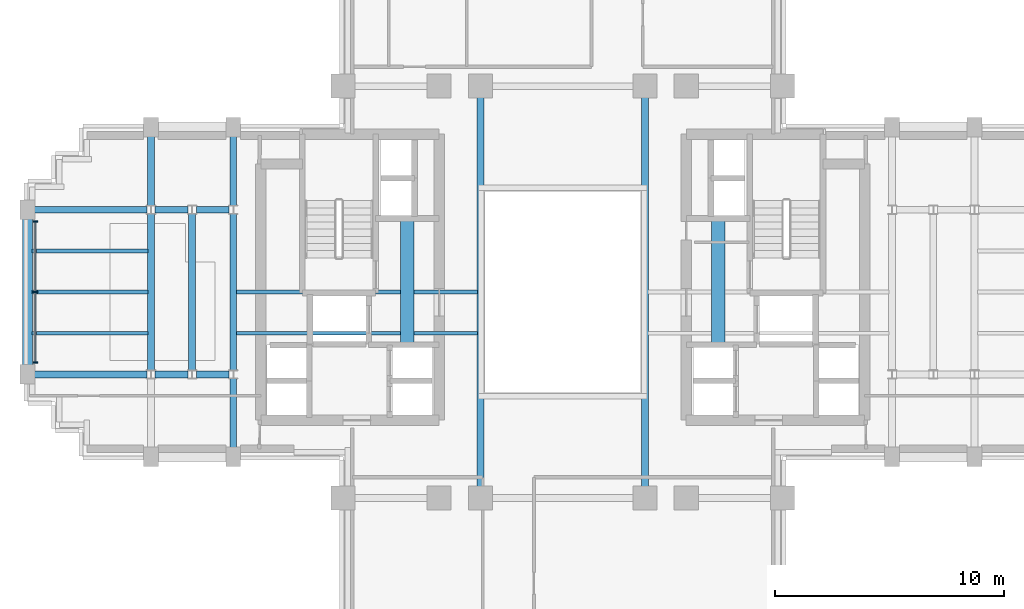
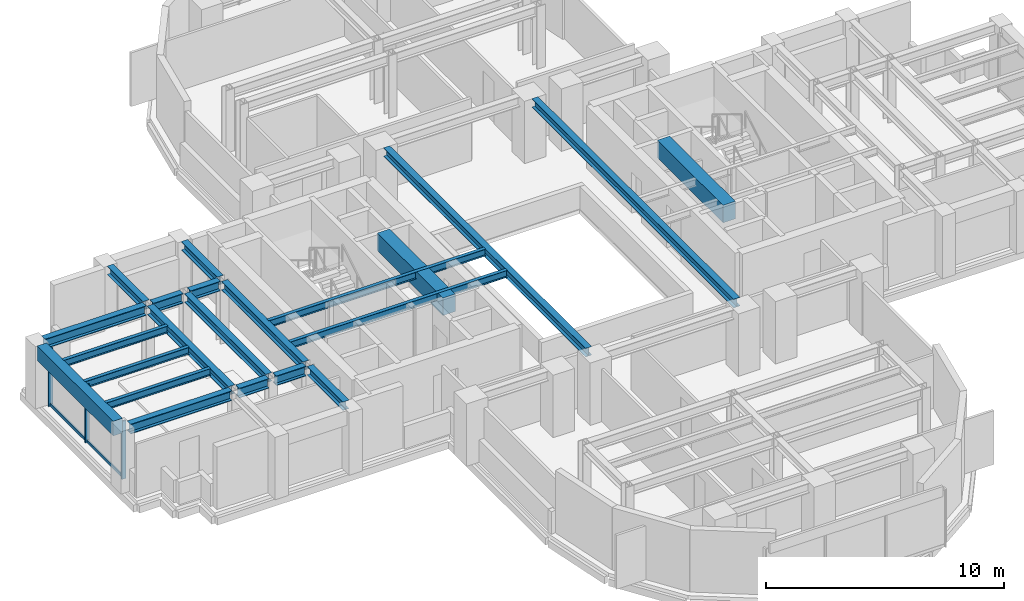
# One storey, part 4 of 13: 22 beams, 5 members, 1 element without a shape of its own.
"""IFC4 building model written with IfcOpenShell, lengths in metres."""

import ifcopenshell
import ifcopenshell.guid

model = None  # the IFC model being written
_history = None  # IfcOwnerHistory: only IFC2X3 demands one
_inside = {}  # id of a spatial element -> (the spatial element, [elements in it])
_under = {}  # id of a project, library or spatial element -> (it, [spatial elements below it])
_declared = {}  # id of a project -> (the project, [libraries it declares])
_typed = {}  # id of a type object -> (the type object, [elements of that type])
_made_of = {}  # id of a material, layer set ... -> (it, [elements and type objects made of it])


def new_model(schema):
    """Start an empty IFC model of exactly this schema.

    Asked for "IFC4X3", IfcOpenShell would pick the latest addendum, in which some entities
    have other attributes; the version numbers below select the first issue.
    IFC2X3 requires an IfcOwnerHistory on every rooted entity: one is made here for all.
    """
    global model, _history
    if schema == "IFC4X3":
        model = ifcopenshell.file(schema_version=(4, 3, 0, 0))
    else:
        model = ifcopenshell.file(schema=schema)
    _inside.clear()
    _under.clear()
    _declared.clear()
    _typed.clear()
    _made_of.clear()
    _history = None
    if model.schema == "IFC2X3":
        org = make("IfcOrganization", Name="unknown")
        user = make(
            "IfcPersonAndOrganization",
            ThePerson=make("IfcPerson", FamilyName="unknown"),
            TheOrganization=org,
        )
        app = make(
            "IfcApplication",
            ApplicationDeveloper=org,
            Version="unknown",
            ApplicationFullName="unknown",
            ApplicationIdentifier="unknown",
        )
        _history = make(
            "IfcOwnerHistory",
            OwningUser=user,
            OwningApplication=app,
            ChangeAction="ADDED",
            CreationDate=0,
        )
    return model


def make(cls, **values):
    """One entity of the class cls with the attributes given. An attribute that is None is left unset."""
    return model.create_entity(
        cls, **{name: value for name, value in values.items() if value is not None}
    )


def rooted(cls, **values):
    """An entity with a GlobalId (a new one), such as an element, a storey or a relation."""
    return make(cls, GlobalId=ifcopenshell.guid.new(), OwnerHistory=_history, **values)


def si_unit(unit_type, name, prefix=None):
    """IfcSIUnit, for example si_unit("LENGTHUNIT", "METRE", prefix="MILLI")."""
    return make("IfcSIUnit", UnitType=unit_type, Prefix=prefix, Name=name)


def assignment(units):
    """IfcUnitAssignment: the units of a project."""
    return None if units is None else make("IfcUnitAssignment", Units=units)


def point(xyz):
    """IfcCartesianPoint."""
    return None if xyz is None else make("IfcCartesianPoint", Coordinates=xyz)


def direction(xyz):
    """IfcDirection."""
    return None if xyz is None else make("IfcDirection", DirectionRatios=xyz)


def frame(location, z_axis=None, x_axis=None):
    """IfcAxis2Placement3D, a coordinate frame: its origin and axes. An axis left out is left unset."""
    return make(
        "IfcAxis2Placement3D",
        Location=point(location),
        Axis=direction(z_axis),
        RefDirection=direction(x_axis),
    )


def frame_2d(location, x_axis=None):
    """IfcAxis2Placement2D, a coordinate frame in the plane: its origin and x axis."""
    return make(
        "IfcAxis2Placement2D", Location=point(location), RefDirection=direction(x_axis)
    )


def origin():
    """The frame at (0, 0, 0) with its axes left unset."""
    return frame((0.0, 0.0, 0.0))


def origin_2d():
    """The frame at (0, 0) in the plane with its x axis left unset."""
    return frame_2d((0.0, 0.0))


def place(relative_to, where):
    """IfcLocalPlacement: puts the frame where relative to a parent placement (None: the world)."""
    return make(
        "IfcLocalPlacement", PlacementRelTo=relative_to, RelativePlacement=where
    )


def context(
    kind, dimensions, precision=None, world=None, true_north=None, identifier=None
):
    """IfcGeometricRepresentationContext, for example the 3D "Model" context."""
    return make(
        "IfcGeometricRepresentationContext",
        ContextIdentifier=identifier,
        ContextType=kind,
        CoordinateSpaceDimension=dimensions,
        Precision=precision,
        WorldCoordinateSystem=world,
        TrueNorth=true_north,
    )


def subcontext(parent, identifier, kind, view, scale=None):
    """IfcGeometricRepresentationSubContext, for example "Body" below "Model"."""
    return make(
        "IfcGeometricRepresentationSubContext",
        ContextIdentifier=identifier,
        ContextType=kind,
        ParentContext=parent,
        TargetScale=scale,
        TargetView=view,
    )


def project(units=None, contexts=None):
    """IfcProject with its units and contexts."""
    return rooted(
        "IfcProject",
        Name="project",
        RepresentationContexts=contexts,
        UnitsInContext=assignment(units),
    )


def spatial(cls, under=None, at=None, **own):
    """A site, building, storey or space (cls), placed at a placement, below another one or the project."""
    s = rooted(cls, ObjectPlacement=at, **own)
    if under is not None:
        _under.setdefault(under.id(), (under, []))[1].append(s)
    return s


def profile(cls, at=None, kind="AREA", **sizes):
    """A parametric profile (cls). Its sizes go by their IFC names, for example OverallWidth=200.0."""
    return make(cls, ProfileType=kind, Position=at, **sizes)


def rectangle(**sizes):
    """IfcRectangleProfileDef."""
    return profile("IfcRectangleProfileDef", **sizes)


def i_section(**sizes):
    """IfcIShapeProfileDef."""
    return profile("IfcIShapeProfileDef", **sizes)


def extrude(swept, where, along, depth):
    """IfcExtrudedAreaSolid: the profile swept, set in the frame where, extruded along a direction by depth."""
    return make(
        "IfcExtrudedAreaSolid",
        SweptArea=swept,
        Position=where,
        ExtrudedDirection=direction(along),
        Depth=depth,
    )


def shape(context_of_items, identifier, shape_type, items):
    """IfcShapeRepresentation: the items that make up one representation, for example the "Body"."""
    return make(
        "IfcShapeRepresentation",
        ContextOfItems=context_of_items,
        RepresentationIdentifier=identifier,
        RepresentationType=shape_type,
        Items=items,
    )


def source(mapping_origin, context_of_items, identifier, shape_type, items):
    """IfcRepresentationMap: a shape defined once, which mapped items show again and again."""
    return make(
        "IfcRepresentationMap",
        MappingOrigin=mapping_origin,
        MappedRepresentation=shape(context_of_items, identifier, shape_type, items),
    )


def transform(
    local_origin,
    x_axis=None,
    y_axis=None,
    z_axis=None,
    scale=None,
    scale2=None,
    scale3=None,
    uniform=True,
):
    """IfcCartesianTransformationOperator3D, or its non-uniform kind. x_axis, y_axis, z_axis: its Axis1, 2, 3."""
    if uniform:
        return make(
            "IfcCartesianTransformationOperator3D",
            Axis1=direction(x_axis),
            Axis2=direction(y_axis),
            LocalOrigin=point(local_origin),
            Scale=scale,
            Axis3=direction(z_axis),
        )
    return make(
        "IfcCartesianTransformationOperator3DnonUniform",
        Axis1=direction(x_axis),
        Axis2=direction(y_axis),
        LocalOrigin=point(local_origin),
        Scale=scale,
        Axis3=direction(z_axis),
        Scale2=scale2,
        Scale3=scale3,
    )


def mapped(mapping_source, mapping_target):
    """IfcMappedItem: shows the shape of a source again, moved by a transform."""
    return make(
        "IfcMappedItem", MappingSource=mapping_source, MappingTarget=mapping_target
    )


def material(Name=None, Category=None):
    """IfcMaterial."""
    return make("IfcMaterial", Name=Name, Category=Category)


def material_profile(
    of_material, cross_section, Name=None, Category=None, Priority=None
):
    """IfcMaterialProfile: a cross section and its material."""
    return make(
        "IfcMaterialProfile",
        Name=Name,
        Material=of_material,
        Profile=cross_section,
        Priority=Priority,
        Category=Category,
    )


def profile_set(profiles, Name=None, composite=None):
    """IfcMaterialProfileSet."""
    return make(
        "IfcMaterialProfileSet",
        Name=Name,
        MaterialProfiles=profiles,
        CompositeProfile=composite,
    )


def made_of(thing, what):
    """Note that an element or type object is made of a material, layer set ...; save() writes the relation."""
    if what is not None:
        _made_of.setdefault(what.id(), (what, []))[1].append(thing)
    return thing


def type_object(cls, material=None, **own):
    """A type object (cls), such as IfcWallType, which elements share."""
    return made_of(rooted(cls, **own), material)


def element(
    cls,
    number,
    at=None,
    inside=None,
    cuts=None,
    type_object=None,
    material=None,
    context=None,
    identifier="Body",
    shape_type=None,
    held_by="IfcProductDefinitionShape",
    body=None,
    shapes=None,
    **own,
):
    """One element of the class cls, such as IfcWall. Its Tag is "e" and its number.

    at: its placement. inside: the storey or other place that contains it. cuts: it is an
    opening in that element (IfcRelVoidsElement). A single representation is given by context,
    identifier, shape_type and body (its items); several are given by shapes. held_by: the class
    of the entity that holds the representations. save() writes the other relations.
    """
    e = rooted(cls, Tag="e%d" % number, ObjectPlacement=at, **own)
    if body is not None:
        shapes = [shape(context, identifier, shape_type, body)]
    if shapes is not None:
        e.Representation = make(held_by, Representations=shapes)
    if inside is not None:
        _inside.setdefault(inside.id(), (inside, []))[1].append(e)
    if cuts is not None:
        rooted(
            "IfcRelVoidsElement", RelatingBuildingElement=cuts, RelatedOpeningElement=e
        )
    if type_object is not None:
        _typed.setdefault(type_object.id(), (type_object, []))[1].append(e)
    return made_of(e, material)


def aggregate(whole, parts):
    """IfcRelAggregates: a whole, such as a stair, and the parts it consists of."""
    return rooted("IfcRelAggregates", RelatingObject=whole, RelatedObjects=parts)


def save(model, path):
    """Write the relations noted so far, then the file.

    IfcRelAggregates (storeys below a building ...), IfcRelContainedInSpatialStructure (elements
    in a storey), IfcRelDefinesByType, IfcRelAssociatesMaterial and IfcRelDeclares: one each for
    every whole, place, type object, material and project.
    """
    for whole, parts in _under.values():
        aggregate(whole, parts)
    for where, things in _inside.values():
        rooted(
            "IfcRelContainedInSpatialStructure",
            RelatedElements=things,
            RelatingStructure=where,
        )
    for kind, things in _typed.values():
        rooted("IfcRelDefinesByType", RelatedObjects=things, RelatingType=kind)
    for what, things in _made_of.values():
        rooted("IfcRelAssociatesMaterial", RelatedObjects=things, RelatingMaterial=what)
    for by, libraries in _declared.values():
        rooted("IfcRelDeclares", RelatingContext=by, RelatedDefinitions=libraries)
    model.write(path)


model = new_model("IFC4")

# Units and contexts
model_context = context("Model", 3, precision=1e-05, world=origin(), true_north=direction((0.0, 1.0)))
body_context = subcontext(model_context, "Body", "Model", "MODEL_VIEW")
ifc_project = project(units=[si_unit("LENGTHUNIT", "METRE"), si_unit("AREAUNIT", "SQUARE_METRE"), si_unit("VOLUMEUNIT", "CUBIC_METRE"), si_unit("PLANEANGLEUNIT", "RADIAN"), si_unit("MASSUNIT", "GRAM", prefix="KILO")], contexts=[model_context])

# Site, building, storey
site_placement = place(None, origin())
site = spatial("IfcSite", under=ifc_project, at=site_placement, CompositionType="ELEMENT")
building_placement = place(site_placement, origin())
building = spatial("IfcBuilding", under=site, at=building_placement, Name="Keilestroom Media Tower", CompositionType="ELEMENT")
storey_placement = place(building_placement, frame((0.0, 0.0, 97.199951171875)))
storey = spatial("IfcBuildingStorey", under=building, at=storey_placement, Name="L25", CompositionType="ELEMENT", Elevation=97.199951171875)

# Beams
ifc_material_1 = material(Name="Concrete C70/85", Category="concrete")
ifc_material_profile_1 = material_profile(ifc_material_1, rectangle(XDim=0.60009765625, YDim=0.89990234375, at=origin_2d()), Name="RC 600x900")
ifc_profile_set_1 = profile_set([ifc_material_profile_1], Name="Concrete C70/85")
beam_type_1 = type_object("IfcBeamType", Name="Core-Coupling-Lintel-Beam-RC-600x900", PredefinedType="LINTEL", material=ifc_profile_set_1)
shared_shape_1 = source(origin(), body_context, "Body", "SweptSolid", [
    extrude(rectangle(XDim=0.60009765625, YDim=0.89990234375, at=origin_2d()), origin(), (0.0, 0.0, 1.0), 5.52001953125),
])
for number, where, z_axis, x_axis, name in (
    (1, (-6.800048828125, -2.300048828125, 2.75), (0.0, 1.0, 0.0), (-1.0, 0.0, 0.0), "L25 Beam CLB-1 CLB-L25-W"),
    (2, (6.800048828125, -2.300048828125, 2.75), (0.0, 1.0, 0.0), (-1.0, 0.0, 0.0), "L25 Beam CLB-1 CLB-L25-E"),
):
    element("IfcBeam", number, at=place(storey_placement, frame(where, z_axis=z_axis, x_axis=x_axis)), inside=storey, type_object=beam_type_1, Name=name, PredefinedType="LINTEL", context=body_context, shape_type="MappedRepresentation", body=[
        mapped(shared_shape_1, transform((0.0, 0.0, 0.0), x_axis=(1.0, 0.0, 0.0), y_axis=(0.0, 1.0, 0.0), z_axis=(0.0, 0.0, 1.0), scale=1.0)),
    ])
ifc_material_2 = material(Name="Steel S355", Category="steel")
ifc_material_profile_2 = material_profile(ifc_material_2, i_section(OverallWidth=0.169921875, OverallDepth=0.360107421875, WebThickness=0.008056640625, FlangeThickness=0.0126953125, at=origin_2d()), Name="IPE 360")
ifc_profile_set_2 = profile_set([ifc_material_profile_2], Name="Steel S355")
beam_type_2 = type_object("IfcBeamType", Name="Secondary-Floor-Joist-IPE-360", PredefinedType="JOIST", material=ifc_profile_set_2)
shared_shape_2 = source(origin(), body_context, "Body", "SweptSolid", [
    extrude(i_section(OverallWidth=0.169921875, OverallDepth=0.360107421875, WebThickness=0.008056640625, FlangeThickness=0.0126953125, at=origin_2d()), origin(), (0.0, 0.0, 1.0), 10.5400390625),
])
for number, where, z_axis, x_axis, name in (
    (3, (-14.27001953125, -1.800048828125, 3.02001953125), (1.0, 0.0, 0.0), (0.0, 1.0, 0.0), "L25 Beam BJ-5 JST-L25-072"),
    (4, (-14.27001953125, 0.0, 3.02001953125), (1.0, 0.0, 0.0), (0.0, 1.0, 0.0), "L25 Beam BJ-5 JST-L25-077"),
):
    element("IfcBeam", number, at=place(storey_placement, frame(where, z_axis=z_axis, x_axis=x_axis)), inside=storey, type_object=beam_type_2, Name=name, PredefinedType="JOIST", context=body_context, shape_type="MappedRepresentation", body=[
        mapped(shared_shape_2, transform((0.0, 0.0, 0.0), x_axis=(1.0, 0.0, 0.0), y_axis=(0.0, 1.0, 0.0), z_axis=(0.0, 0.0, 1.0), scale=1.0)),
    ])
ifc_material_profile_3 = material_profile(ifc_material_2, i_section(OverallWidth=0.300048828125, OverallDepth=0.5, WebThickness=0.012451171875, FlangeThickness=0.028076171875, at=origin_2d()), Name="HEB 500")
ifc_profile_set_3 = profile_set([ifc_material_profile_3], Name="Steel S355")
beam_type_3 = type_object("IfcBeamType", Name="Primary-Structural-Girder-HEB-500", PredefinedType="BEAM", material=ifc_profile_set_3)
shared_shape_3 = source(origin(), body_context, "Body", "SweptSolid", [
    extrude(i_section(OverallWidth=0.300048828125, OverallDepth=0.5, WebThickness=0.012451171875, FlangeThickness=0.028076171875, at=origin_2d()), origin(), (0.0, 0.0, 1.0), 4.91455078125),
])
for number, where, z_axis, x_axis, name in (
    (5, (-23.094970703125, -3.60009765625, 2.949951171875), (1.0, 0.0, 0.0), (0.0, 1.0, 0.0), "L25 Beam BG-6 BM-L25-EW-014"),
    (6, (-23.094970703125, 3.60009765625, 2.949951171875), (1.0, 0.0, 0.0), (0.0, 1.0, 0.0), "L25 Beam BG-6 BM-L25-EW-020"),
):
    element("IfcBeam", number, at=place(storey_placement, frame(where, z_axis=z_axis, x_axis=x_axis)), inside=storey, type_object=beam_type_3, Name=name, PredefinedType="BEAM", context=body_context, shape_type="MappedRepresentation", body=[
        mapped(shared_shape_3, transform((0.0, 0.0, 0.0), x_axis=(1.0, 0.0, 0.0), y_axis=(0.0, 1.0, 0.0), z_axis=(0.0, 0.0, 1.0), scale=1.0)),
    ])
shared_shape_4 = source(origin(), body_context, "Body", "SweptSolid", [
    extrude(i_section(OverallWidth=0.300048828125, OverallDepth=0.5, WebThickness=0.012451171875, FlangeThickness=0.028076171875, at=origin_2d()), origin(), (0.0, 0.0, 1.0), 1.43896484375),
])
for number, where, z_axis, x_axis, name in (
    (7, (-17.819580078125, -3.60009765625, 2.949951171875), (1.0, 0.0, 0.0), (0.0, 1.0, 0.0), "L25 Beam BG-6 BM-L25-EW-015"),
    (8, (-16.01953125, -3.60009765625, 2.949951171875), (1.0, 0.0, 0.0), (0.0, 1.0, 0.0), "L25 Beam BG-6 BM-L25-EW-016"),
    (9, (-17.819580078125, 3.60009765625, 2.949951171875), (1.0, 0.0, 0.0), (0.0, 1.0, 0.0), "L25 Beam BG-6 BM-L25-EW-021"),
    (10, (-16.01953125, 3.60009765625, 2.949951171875), (1.0, 0.0, 0.0), (0.0, 1.0, 0.0), "L25 Beam BG-6 BM-L25-EW-022"),
):
    element("IfcBeam", number, at=place(storey_placement, frame(where, z_axis=z_axis, x_axis=x_axis)), inside=storey, type_object=beam_type_3, Name=name, PredefinedType="BEAM", context=body_context, shape_type="MappedRepresentation", body=[
        mapped(shared_shape_4, transform((0.0, 0.0, 0.0), x_axis=(1.0, 0.0, 0.0), y_axis=(0.0, 1.0, 0.0), z_axis=(0.0, 0.0, 1.0), scale=1.0)),
    ])
ifc_material_3 = material(Name="Precast concrete C40/50", Category="concrete")
ifc_material_profile_4 = material_profile(ifc_material_3, rectangle(XDim=0.449951171875, YDim=0.75, at=origin_2d()), Name="PC 450x750")
ifc_profile_set_4 = profile_set([ifc_material_profile_4], Name="Precast concrete C40/50")
beam_type_4 = type_object("IfcBeamType", Name="Perimeter-Spandrel-Beam-PC-450x750", PredefinedType="SPANDREL", material=ifc_profile_set_4)
shared_shape_5 = source(origin(), body_context, "Body", "SweptSolid", [
    extrude(rectangle(XDim=0.449951171875, YDim=0.75, at=origin_2d()), origin(), (0.0, 0.0, 1.0), 6.39013671875),
])
beam_placement = place(storey_placement, frame((-23.39990234375, -3.195068359375, 2.824951171875), z_axis=(0.0, 1.0, 0.0), x_axis=(-1.0, 0.0, 0.0)))
element("IfcBeam", 11, at=beam_placement, inside=storey, type_object=beam_type_4, Name="L25 Beam SPB-1 BM-L25-NS-039", PredefinedType="SPANDREL", context=body_context, shape_type="MappedRepresentation", body=[
    mapped(shared_shape_5, transform((0.0, 0.0, 0.0), x_axis=(1.0, 0.0, 0.0), y_axis=(0.0, 1.0, 0.0), z_axis=(0.0, 0.0, 1.0), scale=1.0)),
])
shared_shape_6 = source(origin(), body_context, "Body", "SweptSolid", [
    extrude(i_section(OverallWidth=0.169921875, OverallDepth=0.360107421875, WebThickness=0.008056640625, FlangeThickness=0.0126953125, at=origin_2d()), origin(), (0.0, 0.0, 1.0), 5.065185546875),
])
for number, where, z_axis, x_axis, name in (
    (12, (-23.195068359375, -1.800048828125, 3.02001953125), (1.0, 0.0, 0.0), (0.0, 1.0, 0.0), "L25 Beam BJ-5 JST-L25-071"),
    (13, (-23.195068359375, 0.0, 3.02001953125), (1.0, 0.0, 0.0), (0.0, 1.0, 0.0), "L25 Beam BJ-5 JST-L25-076"),
    (14, (-23.195068359375, 1.800048828125, 3.02001953125), (1.0, 0.0, 0.0), (0.0, 1.0, 0.0), "L25 Beam BJ-5 JST-L25-081"),
):
    element("IfcBeam", number, at=place(storey_placement, frame(where, z_axis=z_axis, x_axis=x_axis)), inside=storey, type_object=beam_type_2, Name=name, PredefinedType="JOIST", context=body_context, shape_type="MappedRepresentation", body=[
        mapped(shared_shape_6, transform((0.0, 0.0, 0.0), x_axis=(1.0, 0.0, 0.0), y_axis=(0.0, 1.0, 0.0), z_axis=(0.0, 0.0, 1.0), scale=1.0)),
    ])
ifc_material_profile_5 = material_profile(ifc_material_2, i_section(OverallWidth=0.300048828125, OverallDepth=0.43994140625, WebThickness=0.011474609375, FlangeThickness=0.02099609375, at=origin_2d()), Name="HEA 450")
ifc_profile_set_5 = profile_set([ifc_material_profile_5], Name="Steel S355")
beam_type_5 = type_object("IfcBeamType", Name="Primary-Structural-Girder-HEA-450", PredefinedType="BEAM", material=ifc_profile_set_5)
shared_shape_7 = source(origin(), body_context, "Body", "SweptSolid", [
    extrude(i_section(OverallWidth=0.300048828125, OverallDepth=0.43994140625, WebThickness=0.011474609375, FlangeThickness=0.02099609375, at=origin_2d()), origin(), (0.0, 0.0, 1.0), 3.015380859375),
])
for number, where, z_axis, x_axis, name in (
    (15, (-18.0, 3.779541015625, 2.97998046875), (0.0, 1.0, 0.0), (-1.0, 0.0, 0.0), "L25 Beam BG-11 BM-L25-NS-042"),
    (16, (-14.39990234375, -6.794921875, 2.97998046875), (0.0, 1.0, 0.0), (-1.0, 0.0, 0.0), "L25 Beam BG-11 BM-L25-NS-044"),
    (17, (-14.39990234375, 3.779541015625, 2.97998046875), (0.0, 1.0, 0.0), (-1.0, 0.0, 0.0), "L25 Beam BG-11 BM-L25-NS-046"),
):
    element("IfcBeam", number, at=place(storey_placement, frame(where, z_axis=z_axis, x_axis=x_axis)), inside=storey, type_object=beam_type_5, Name=name, PredefinedType="BEAM", context=body_context, shape_type="MappedRepresentation", body=[
        mapped(shared_shape_7, transform((0.0, 0.0, 0.0), x_axis=(1.0, 0.0, 0.0), y_axis=(0.0, 1.0, 0.0), z_axis=(0.0, 0.0, 1.0), scale=1.0)),
    ])
shared_shape_8 = source(origin(), body_context, "Body", "SweptSolid", [
    extrude(i_section(OverallWidth=0.300048828125, OverallDepth=0.43994140625, WebThickness=0.011474609375, FlangeThickness=0.02099609375, at=origin_2d()), origin(), (0.0, 0.0, 1.0), 6.8408203125),
])
for number, where, z_axis, x_axis, name in (
    (18, (-18.0, -3.42041015625, 2.97998046875), (0.0, 1.0, 0.0), (-1.0, 0.0, 0.0), "L25 Beam BG-11 BM-L25-NS-041"),
    (19, (-16.199951171875, -3.42041015625, 2.97998046875), (0.0, 1.0, 0.0), (-1.0, 0.0, 0.0), "L25 Beam BG-11 BM-L25-NS-043"),
    (20, (-14.39990234375, -3.42041015625, 2.97998046875), (0.0, 1.0, 0.0), (-1.0, 0.0, 0.0), "L25 Beam BG-11 BM-L25-NS-045"),
):
    element("IfcBeam", number, at=place(storey_placement, frame(where, z_axis=z_axis, x_axis=x_axis)), inside=storey, type_object=beam_type_5, Name=name, PredefinedType="BEAM", context=body_context, shape_type="MappedRepresentation", body=[
        mapped(shared_shape_8, transform((0.0, 0.0, 0.0), x_axis=(1.0, 0.0, 0.0), y_axis=(0.0, 1.0, 0.0), z_axis=(0.0, 0.0, 1.0), scale=1.0)),
    ])
shared_shape_9 = source(origin(), body_context, "Body", "SweptSolid", [
    extrude(i_section(OverallWidth=0.300048828125, OverallDepth=0.43994140625, WebThickness=0.011474609375, FlangeThickness=0.02099609375, at=origin_2d()), origin(), (0.0, 0.0, 1.0), 16.990234375),
])
for number, where, z_axis, x_axis, name in (
    (21, (-3.60009765625, -8.4951171875, 2.97998046875), (0.0, 1.0, 0.0), (-1.0, 0.0, 0.0), "L25 Beam BG-11 BM-L25-NS-051"),
    (22, (3.60009765625, -8.4951171875, 2.97998046875), (0.0, 1.0, 0.0), (-1.0, 0.0, 0.0), "L25 Beam BG-11 BM-L25-NS-056"),
):
    element("IfcBeam", number, at=place(storey_placement, frame(where, z_axis=z_axis, x_axis=x_axis)), inside=storey, type_object=beam_type_5, Name=name, PredefinedType="BEAM", context=body_context, shape_type="MappedRepresentation", body=[
        mapped(shared_shape_9, transform((0.0, 0.0, 0.0), x_axis=(1.0, 0.0, 0.0), y_axis=(0.0, 1.0, 0.0), z_axis=(0.0, 0.0, 1.0), scale=1.0)),
    ])

# Curtain wall, members
ifc_material_4 = material(Name="Anodised Aluminium Alloy", Category="aluminium")
curtain_wall_type = type_object("IfcCurtainWallType", Name="Unitised-Curtain-Wall-CW-2", PredefinedType="NOTDEFINED", material=ifc_material_4)
curtain_wall_placement = place(storey_placement, origin())
curtain_wall = element("IfcCurtainWall", 23, at=curtain_wall_placement, inside=storey, type_object=curtain_wall_type, Name="L25 Curtain Wall CW-2 CW-L25-W-1", PredefinedType="NOTDEFINED")
ifc_material_profile_6 = material_profile(ifc_material_4, rectangle(XDim=0.070068359375, YDim=0.199951171875, at=origin_2d()), Name="ALU MULLION 70x200")
ifc_profile_set_6 = profile_set([ifc_material_profile_6], Name="Anodised Aluminium Alloy")
member_type_1 = type_object("IfcMemberType", Name="Curtain-Wall-Mullion-CW-2", PredefinedType="MULLION", material=ifc_profile_set_6)
shared_shape_10 = source(origin(), body_context, "Body", "SweptSolid", [
    extrude(rectangle(XDim=0.070068359375, YDim=0.199951171875, at=origin_2d()), origin(), (0.0, 0.0, 1.0), 2.97998046875),
])
member_1_placement = place(storey_placement, frame((-23.050048828125, -3.080078125, 0.0), z_axis=(0.0, 0.0, 1.0), x_axis=(0.0, 1.0, 0.0)))
member_1 = element("IfcMember", 24, at=member_1_placement, type_object=member_type_1, Name="CW-2 Mullion 00", PredefinedType="MULLION", context=body_context, shape_type="MappedRepresentation", body=[
    mapped(shared_shape_10, transform((0.0, 0.0, 0.0), x_axis=(1.0, 0.0, 0.0), y_axis=(0.0, 1.0, 0.0), z_axis=(0.0, 0.0, 1.0), scale=1.0)),
])
member_2_placement = place(storey_placement, frame((-23.050048828125, 0.0, 0.0), z_axis=(0.0, 0.0, 1.0), x_axis=(0.0, 1.0, 0.0)))
member_2 = element("IfcMember", 25, at=member_2_placement, type_object=member_type_1, Name="CW-2 Mullion 01", PredefinedType="MULLION", context=body_context, shape_type="MappedRepresentation", body=[
    mapped(shared_shape_10, transform((0.0, 0.0, 0.0), x_axis=(1.0, 0.0, 0.0), y_axis=(0.0, 1.0, 0.0), z_axis=(0.0, 0.0, 1.0), scale=1.0)),
])
member_3_placement = place(storey_placement, frame((-23.050048828125, 3.080078125, 0.0), z_axis=(0.0, 0.0, 1.0), x_axis=(0.0, 1.0, 0.0)))
member_3 = element("IfcMember", 26, at=member_3_placement, type_object=member_type_1, Name="CW-2 Mullion 02", PredefinedType="MULLION", context=body_context, shape_type="MappedRepresentation", body=[
    mapped(shared_shape_10, transform((0.0, 0.0, 0.0), x_axis=(1.0, 0.0, 0.0), y_axis=(0.0, 1.0, 0.0), z_axis=(0.0, 0.0, 1.0), scale=1.0)),
])
ifc_material_profile_7 = material_profile(ifc_material_4, rectangle(XDim=0.06494140625, YDim=0.14990234375, at=origin_2d()), Name="ALU TRANSOM 65x150")
ifc_profile_set_7 = profile_set([ifc_material_profile_7], Name="Anodised Aluminium Alloy")
member_type_2 = type_object("IfcMemberType", Name="Curtain-Wall-Transom-CW-2", PredefinedType="USERDEFINED", material=ifc_profile_set_7)
shared_shape_11 = source(origin(), body_context, "Body", "SweptSolid", [
    extrude(rectangle(XDim=0.06494140625, YDim=0.14990234375, at=origin_2d()), origin(), (0.0, 0.0, 1.0), 3.01416015625),
])
member_4_placement = place(storey_placement, frame((-23.050048828125, -3.047119140625, 0.074951171875), z_axis=(0.0, 1.0, 0.0), x_axis=(-1.0, 0.0, 0.0)))
member_4 = element("IfcMember", 27, at=member_4_placement, type_object=member_type_2, Name="CW-2 Transom 00.1", ObjectType="TRANSOM", PredefinedType="USERDEFINED", context=body_context, shape_type="MappedRepresentation", body=[
    mapped(shared_shape_11, transform((0.0, 0.0, 0.0), x_axis=(1.0, 0.0, 0.0), y_axis=(0.0, 1.0, 0.0), z_axis=(0.0, 0.0, 1.0), scale=1.0)),
])
member_5_placement = place(storey_placement, frame((-23.050048828125, 0.032958984375, 0.074951171875), z_axis=(0.0, 1.0, 0.0), x_axis=(-1.0, 0.0, 0.0)))
member_5 = element("IfcMember", 28, at=member_5_placement, type_object=member_type_2, Name="CW-2 Transom 01.1", ObjectType="TRANSOM", PredefinedType="USERDEFINED", context=body_context, shape_type="MappedRepresentation", body=[
    mapped(shared_shape_11, transform((0.0, 0.0, 0.0), x_axis=(1.0, 0.0, 0.0), y_axis=(0.0, 1.0, 0.0), z_axis=(0.0, 0.0, 1.0), scale=1.0)),
])
aggregate(curtain_wall, [member_1, member_2, member_3, member_4, member_5])

save(model, "model.ifc")
